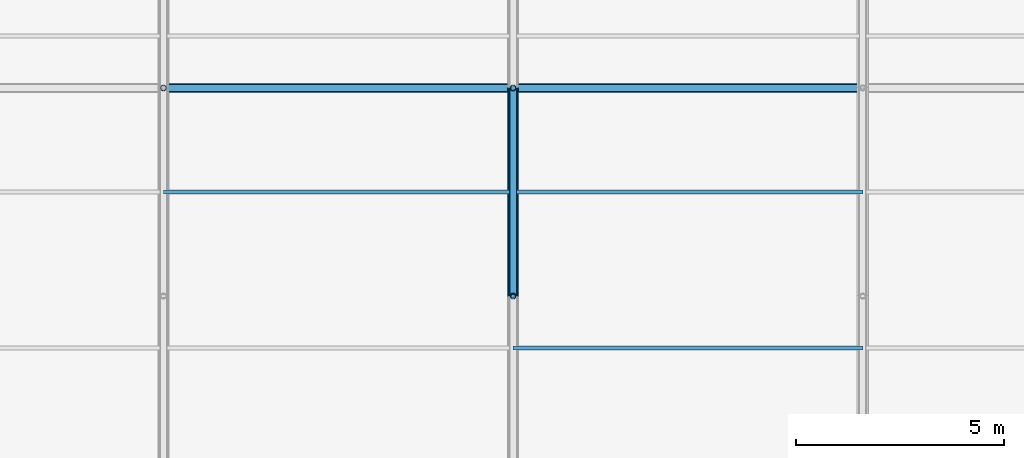
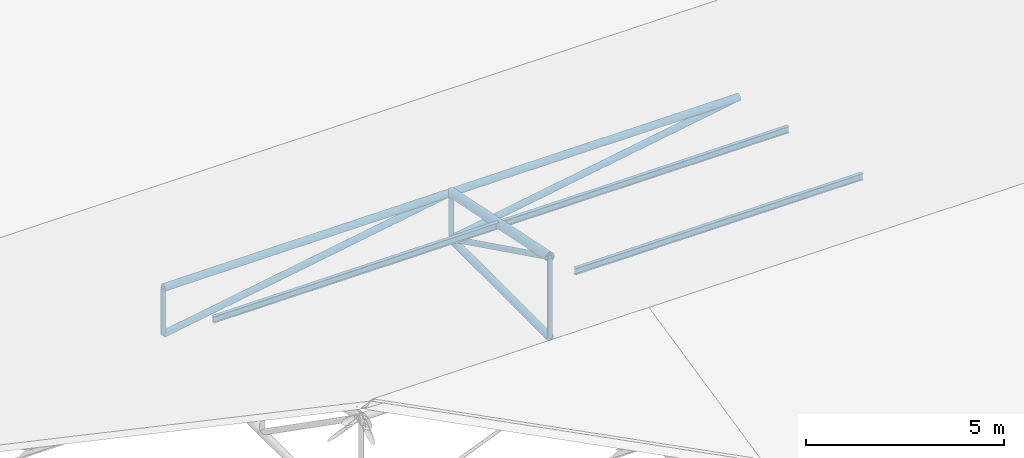
# One storey, part 38 of 194: 10 members, 3 beams.
"""IFC4 building model written with IfcOpenShell, lengths in metres."""

import ifcopenshell
import ifcopenshell.guid

model = None  # the IFC model being written
_history = None  # IfcOwnerHistory: only IFC2X3 demands one
_inside = {}  # id of a spatial element -> (the spatial element, [elements in it])
_under = {}  # id of a project, library or spatial element -> (it, [spatial elements below it])
_declared = {}  # id of a project -> (the project, [libraries it declares])
_typed = {}  # id of a type object -> (the type object, [elements of that type])
_made_of = {}  # id of a material, layer set ... -> (it, [elements and type objects made of it])


def new_model(schema):
    """Start an empty IFC model of exactly this schema.

    Asked for "IFC4X3", IfcOpenShell would pick the latest addendum, in which some entities
    have other attributes; the version numbers below select the first issue.
    IFC2X3 requires an IfcOwnerHistory on every rooted entity: one is made here for all.
    """
    global model, _history
    if schema == "IFC4X3":
        model = ifcopenshell.file(schema_version=(4, 3, 0, 0))
    else:
        model = ifcopenshell.file(schema=schema)
    _inside.clear()
    _under.clear()
    _declared.clear()
    _typed.clear()
    _made_of.clear()
    _history = None
    if model.schema == "IFC2X3":
        org = make("IfcOrganization", Name="unknown")
        user = make(
            "IfcPersonAndOrganization",
            ThePerson=make("IfcPerson", FamilyName="unknown"),
            TheOrganization=org,
        )
        app = make(
            "IfcApplication",
            ApplicationDeveloper=org,
            Version="unknown",
            ApplicationFullName="unknown",
            ApplicationIdentifier="unknown",
        )
        _history = make(
            "IfcOwnerHistory",
            OwningUser=user,
            OwningApplication=app,
            ChangeAction="ADDED",
            CreationDate=0,
        )
    return model


def make(cls, **values):
    """One entity of the class cls with the attributes given. An attribute that is None is left unset."""
    return model.create_entity(
        cls, **{name: value for name, value in values.items() if value is not None}
    )


def rooted(cls, **values):
    """An entity with a GlobalId (a new one), such as an element, a storey or a relation."""
    return make(cls, GlobalId=ifcopenshell.guid.new(), OwnerHistory=_history, **values)


def si_unit(unit_type, name, prefix=None):
    """IfcSIUnit, for example si_unit("LENGTHUNIT", "METRE", prefix="MILLI")."""
    return make("IfcSIUnit", UnitType=unit_type, Prefix=prefix, Name=name)


def assignment(units):
    """IfcUnitAssignment: the units of a project."""
    return None if units is None else make("IfcUnitAssignment", Units=units)


def point(xyz):
    """IfcCartesianPoint."""
    return None if xyz is None else make("IfcCartesianPoint", Coordinates=xyz)


def direction(xyz):
    """IfcDirection."""
    return None if xyz is None else make("IfcDirection", DirectionRatios=xyz)


def frame(location, z_axis=None, x_axis=None):
    """IfcAxis2Placement3D, a coordinate frame: its origin and axes. An axis left out is left unset."""
    return make(
        "IfcAxis2Placement3D",
        Location=point(location),
        Axis=direction(z_axis),
        RefDirection=direction(x_axis),
    )


def frame_2d(location, x_axis=None):
    """IfcAxis2Placement2D, a coordinate frame in the plane: its origin and x axis."""
    return make(
        "IfcAxis2Placement2D", Location=point(location), RefDirection=direction(x_axis)
    )


def origin():
    """The frame at (0, 0, 0) with its axes left unset."""
    return frame((0.0, 0.0, 0.0))


def origin_2d():
    """The frame at (0, 0) in the plane with its x axis left unset."""
    return frame_2d((0.0, 0.0))


def place(relative_to, where):
    """IfcLocalPlacement: puts the frame where relative to a parent placement (None: the world)."""
    return make(
        "IfcLocalPlacement", PlacementRelTo=relative_to, RelativePlacement=where
    )


def context(
    kind, dimensions, precision=None, world=None, true_north=None, identifier=None
):
    """IfcGeometricRepresentationContext, for example the 3D "Model" context."""
    return make(
        "IfcGeometricRepresentationContext",
        ContextIdentifier=identifier,
        ContextType=kind,
        CoordinateSpaceDimension=dimensions,
        Precision=precision,
        WorldCoordinateSystem=world,
        TrueNorth=true_north,
    )


def subcontext(parent, identifier, kind, view, scale=None):
    """IfcGeometricRepresentationSubContext, for example "Body" below "Model"."""
    return make(
        "IfcGeometricRepresentationSubContext",
        ContextIdentifier=identifier,
        ContextType=kind,
        ParentContext=parent,
        TargetScale=scale,
        TargetView=view,
    )


def project(units=None, contexts=None):
    """IfcProject with its units and contexts."""
    return rooted(
        "IfcProject",
        Name="project",
        RepresentationContexts=contexts,
        UnitsInContext=assignment(units),
    )


def spatial(cls, under=None, at=None, **own):
    """A site, building, storey or space (cls), placed at a placement, below another one or the project."""
    s = rooted(cls, ObjectPlacement=at, **own)
    if under is not None:
        _under.setdefault(under.id(), (under, []))[1].append(s)
    return s


def profile(cls, at=None, kind="AREA", **sizes):
    """A parametric profile (cls). Its sizes go by their IFC names, for example OverallWidth=200.0."""
    return make(cls, ProfileType=kind, Position=at, **sizes)


def hollow_circle(**sizes):
    """IfcCircleHollowProfileDef."""
    return profile("IfcCircleHollowProfileDef", **sizes)


def i_section(**sizes):
    """IfcIShapeProfileDef."""
    return profile("IfcIShapeProfileDef", **sizes)


def extrude(swept, where, along, depth):
    """IfcExtrudedAreaSolid: the profile swept, set in the frame where, extruded along a direction by depth."""
    return make(
        "IfcExtrudedAreaSolid",
        SweptArea=swept,
        Position=where,
        ExtrudedDirection=direction(along),
        Depth=depth,
    )


def shape(context_of_items, identifier, shape_type, items):
    """IfcShapeRepresentation: the items that make up one representation, for example the "Body"."""
    return make(
        "IfcShapeRepresentation",
        ContextOfItems=context_of_items,
        RepresentationIdentifier=identifier,
        RepresentationType=shape_type,
        Items=items,
    )


def material(Name=None, Category=None):
    """IfcMaterial."""
    return make("IfcMaterial", Name=Name, Category=Category)


def material_profile(
    of_material, cross_section, Name=None, Category=None, Priority=None
):
    """IfcMaterialProfile: a cross section and its material."""
    return make(
        "IfcMaterialProfile",
        Name=Name,
        Material=of_material,
        Profile=cross_section,
        Priority=Priority,
        Category=Category,
    )


def profile_set(profiles, Name=None, composite=None):
    """IfcMaterialProfileSet."""
    return make(
        "IfcMaterialProfileSet",
        Name=Name,
        MaterialProfiles=profiles,
        CompositeProfile=composite,
    )


def made_of(thing, what):
    """Note that an element or type object is made of a material, layer set ...; save() writes the relation."""
    if what is not None:
        _made_of.setdefault(what.id(), (what, []))[1].append(thing)
    return thing


def type_object(cls, material=None, **own):
    """A type object (cls), such as IfcWallType, which elements share."""
    return made_of(rooted(cls, **own), material)


def element(
    cls,
    number,
    at=None,
    inside=None,
    cuts=None,
    type_object=None,
    material=None,
    context=None,
    identifier="Body",
    shape_type=None,
    held_by="IfcProductDefinitionShape",
    body=None,
    shapes=None,
    **own,
):
    """One element of the class cls, such as IfcWall. Its Tag is "e" and its number.

    at: its placement. inside: the storey or other place that contains it. cuts: it is an
    opening in that element (IfcRelVoidsElement). A single representation is given by context,
    identifier, shape_type and body (its items); several are given by shapes. held_by: the class
    of the entity that holds the representations. save() writes the other relations.
    """
    e = rooted(cls, Tag="e%d" % number, ObjectPlacement=at, **own)
    if body is not None:
        shapes = [shape(context, identifier, shape_type, body)]
    if shapes is not None:
        e.Representation = make(held_by, Representations=shapes)
    if inside is not None:
        _inside.setdefault(inside.id(), (inside, []))[1].append(e)
    if cuts is not None:
        rooted(
            "IfcRelVoidsElement", RelatingBuildingElement=cuts, RelatedOpeningElement=e
        )
    if type_object is not None:
        _typed.setdefault(type_object.id(), (type_object, []))[1].append(e)
    return made_of(e, material)


def aggregate(whole, parts):
    """IfcRelAggregates: a whole, such as a stair, and the parts it consists of."""
    return rooted("IfcRelAggregates", RelatingObject=whole, RelatedObjects=parts)


def save(model, path):
    """Write the relations noted so far, then the file.

    IfcRelAggregates (storeys below a building ...), IfcRelContainedInSpatialStructure (elements
    in a storey), IfcRelDefinesByType, IfcRelAssociatesMaterial and IfcRelDeclares: one each for
    every whole, place, type object, material and project.
    """
    for whole, parts in _under.values():
        aggregate(whole, parts)
    for where, things in _inside.values():
        rooted(
            "IfcRelContainedInSpatialStructure",
            RelatedElements=things,
            RelatingStructure=where,
        )
    for kind, things in _typed.values():
        rooted("IfcRelDefinesByType", RelatedObjects=things, RelatingType=kind)
    for what, things in _made_of.values():
        rooted("IfcRelAssociatesMaterial", RelatedObjects=things, RelatingMaterial=what)
    for by, libraries in _declared.values():
        rooted("IfcRelDeclares", RelatingContext=by, RelatedDefinitions=libraries)
    model.write(path)


model = new_model("IFC4")

# Units and contexts
model_context = context("Model", 3, precision=1e-05, world=origin(), true_north=direction((0.0, 1.0)))
body_context = subcontext(model_context, "Body", "Model", "MODEL_VIEW")
ifc_project = project(units=[si_unit("LENGTHUNIT", "METRE"), si_unit("AREAUNIT", "SQUARE_METRE"), si_unit("VOLUMEUNIT", "CUBIC_METRE"), si_unit("PLANEANGLEUNIT", "RADIAN"), si_unit("MASSUNIT", "GRAM", prefix="KILO")], contexts=[model_context])

# Site, building, storey
site_placement = place(None, origin())
site = spatial("IfcSite", under=ifc_project, at=site_placement, CompositionType="ELEMENT")
building_placement = place(site_placement, origin())
building = spatial("IfcBuilding", under=site, at=building_placement, Name="Kazenagashi Tramway Depot", CompositionType="ELEMENT")
storey_placement = place(building_placement, frame((0.0, 0.0, 23.7)))
storey = spatial("IfcBuildingStorey", under=building, at=storey_placement, Name="ROOF", CompositionType="ELEMENT", Elevation=23.7)

# Beams
ifc_material_1 = material(Name="Steel SN400B", Category="steel")
ifc_material_profile_1 = material_profile(ifc_material_1, i_section(OverallWidth=0.1, OverallDepth=0.2, WebThickness=0.0055, FlangeThickness=0.008, at=origin_2d()), Name="H-200x100x5.5x8")
ifc_profile_set_1 = profile_set([ifc_material_profile_1], Name="Steel SN400B")
beam_type = type_object("IfcBeamType", Name="PR-01", PredefinedType="USERDEFINED", material=ifc_profile_set_1)
for number, where, z_axis, x_axis, name in (
    (1, (120.4, 88.75, -11.305), (1.0, 0.0, 0.0), (0.0, 1.0, 0.0), "Beam PR-01 BM-2081"),
    (2, (112.0, 92.5, -12.13), (1.0, 0.0, 0.0), (0.0, 1.0, 0.0), "Beam PR-01 BM-2098"),
    (3, (120.4, 92.5, -12.13), (1.0, 0.0, 0.0), (0.0, 1.0, 0.0), "Beam PR-01 BM-2099"),
):
    element("IfcBeam", number, at=place(storey_placement, frame(where, z_axis=z_axis, x_axis=x_axis)), inside=storey, type_object=beam_type, Name=name, ObjectType="PURLIN", PredefinedType="USERDEFINED", context=body_context, shape_type="SweptSolid", body=[
        extrude(i_section(OverallWidth=0.1, OverallDepth=0.2, WebThickness=0.0055, FlangeThickness=0.008, at=origin_2d()), origin(), (0.0, 0.0, 1.0), 8.4),
    ])

# Members
ifc_material_2 = material(Name="Steel STK490", Category="steel")
ifc_material_profile_2 = material_profile(ifc_material_2, hollow_circle(Radius=0.1337, WallThickness=0.0093, at=origin_2d()), Name="CHS-267.4x9.3")
ifc_profile_set_2 = profile_set([ifc_material_profile_2], Name="Steel STK490")
member_type_1 = type_object("IfcMemberType", Name="TC-01", PredefinedType="CHORD", material=ifc_profile_set_2)
member_1_placement = place(storey_placement, frame((120.4, 90.0, -11.633), z_axis=(0.0, 0.979279174591, -0.202514933305), x_axis=(-1.0, 0.0, 0.0)))
element("IfcMember", 4, at=member_1_placement, inside=storey, type_object=member_type_1, Name="Tubular Space Frame TC-01 MEM-0562", PredefinedType="CHORD", context=body_context, shape_type="SweptSolid", body=[
    extrude(hollow_circle(Radius=0.1337, WallThickness=0.0093, at=origin_2d()), origin(), (0.0, 0.0, 1.0), 5.105796),
])
ifc_material_profile_3 = material_profile(ifc_material_2, hollow_circle(Radius=0.10815, WallThickness=0.0082, at=origin_2d()), Name="CHS-216.3x8.2")
ifc_profile_set_3 = profile_set([ifc_material_profile_3], Name="Steel STK490")
member_type_2 = type_object("IfcMemberType", Name="TC-02", PredefinedType="CHORD", material=ifc_profile_set_3)
member_2_placement = place(storey_placement, frame((112.0, 95.0, -12.667), z_axis=(1.0, 0.0, 0.0), x_axis=(0.0, 1.0, 0.0)))
element("IfcMember", 5, at=member_2_placement, inside=storey, type_object=member_type_2, Name="Tubular Space Frame TC-02 MEM-0518", PredefinedType="CHORD", context=body_context, shape_type="SweptSolid", body=[
    extrude(hollow_circle(Radius=0.10815, WallThickness=0.0082, at=origin_2d()), origin(), (0.0, 0.0, 1.0), 8.4),
])
member_3_placement = place(storey_placement, frame((120.4, 90.0, -14.1), z_axis=(0.0, 1.0, 0.0), x_axis=(-1.0, 0.0, 0.0)))
element("IfcMember", 6, at=member_3_placement, inside=storey, type_object=member_type_2, Name="Tubular Space Frame TC-02 MEM-0563", PredefinedType="CHORD", context=body_context, shape_type="SweptSolid", body=[
    extrude(hollow_circle(Radius=0.10815, WallThickness=0.0082, at=origin_2d()), origin(), (0.0, 0.0, 1.0), 5.0),
])
member_4_placement = place(storey_placement, frame((120.4, 95.0, -12.667), z_axis=(1.0, 0.0, 0.0), x_axis=(0.0, 1.0, 0.0)))
element("IfcMember", 7, at=member_4_placement, inside=storey, type_object=member_type_2, Name="Tubular Space Frame TC-02 MEM-0579", PredefinedType="CHORD", context=body_context, shape_type="SweptSolid", body=[
    extrude(hollow_circle(Radius=0.10815, WallThickness=0.0082, at=origin_2d()), origin(), (0.0, 0.0, 1.0), 8.4),
])
ifc_material_profile_4 = material_profile(ifc_material_2, hollow_circle(Radius=0.0826, WallThickness=0.0071, at=origin_2d()), Name="CHS-165.2x7.1")
ifc_profile_set_4 = profile_set([ifc_material_profile_4], Name="Steel STK490")
member_type_3 = type_object("IfcMemberType", Name="TS-01", PredefinedType="STRUT", material=ifc_profile_set_4)
member_5_placement = place(storey_placement, frame((120.4, 90.0, -11.633), z_axis=(0.0, 0.896782162482, -0.442472318969), x_axis=(-1.0, 0.0, 0.0)))
element("IfcMember", 8, at=member_5_placement, inside=storey, type_object=member_type_3, Name="Tubular Space Frame TS-01 MEM-0564", PredefinedType="STRUT", context=body_context, shape_type="SweptSolid", body=[
    extrude(hollow_circle(Radius=0.0826, WallThickness=0.0071, at=origin_2d()), origin(), (0.0, 0.0, 1.0), 5.57549),
])
ifc_material_profile_5 = material_profile(ifc_material_2, hollow_circle(Radius=0.0699, WallThickness=0.0066, at=origin_2d()), Name="CHS-139.8x6.6")
ifc_profile_set_5 = profile_set([ifc_material_profile_5], Name="Steel STK490")
member_type_4 = type_object("IfcMemberType", Name="TS-02", PredefinedType="STRUT", material=ifc_profile_set_5)
member_6_placement = place(storey_placement, frame((112.0, 95.0, -14.1), z_axis=(0.0, 0.0, 1.0), x_axis=(1.0, 0.0, 0.0)))
element("IfcMember", 9, at=member_6_placement, inside=storey, type_object=member_type_4, Name="Tubular Space Frame TS-02 MEM-0512", PredefinedType="STRUT", context=body_context, shape_type="SweptSolid", body=[
    extrude(hollow_circle(Radius=0.0699, WallThickness=0.0066, at=origin_2d()), origin(), (0.0, 0.0, 1.0), 1.433),
])
member_7_placement = place(storey_placement, frame((120.4, 90.0, -14.1), z_axis=(0.0, 0.0, 1.0), x_axis=(1.0, 0.0, 0.0)))
element("IfcMember", 10, at=member_7_placement, inside=storey, type_object=member_type_4, Name="Tubular Space Frame TS-02 MEM-0572", PredefinedType="STRUT", context=body_context, shape_type="SweptSolid", body=[
    extrude(hollow_circle(Radius=0.0699, WallThickness=0.0066, at=origin_2d()), origin(), (0.0, 0.0, 1.0), 2.467),
])
member_8_placement = place(storey_placement, frame((120.4, 95.0, -14.1), z_axis=(0.0, 0.0, 1.0), x_axis=(1.0, 0.0, 0.0)))
element("IfcMember", 11, at=member_8_placement, inside=storey, type_object=member_type_4, Name="Tubular Space Frame TS-02 MEM-0573", PredefinedType="STRUT", context=body_context, shape_type="SweptSolid", body=[
    extrude(hollow_circle(Radius=0.0699, WallThickness=0.0066, at=origin_2d()), origin(), (0.0, 0.0, 1.0), 1.433),
])
ifc_material_profile_6 = material_profile(ifc_material_2, hollow_circle(Radius=0.09535, WallThickness=0.007, at=origin_2d()), Name="CHS-190.7x7.0")
ifc_profile_set_6 = profile_set([ifc_material_profile_6], Name="Steel STK490")
member_type_5 = type_object("IfcMemberType", Name="TS-05", PredefinedType="STRUT", material=ifc_profile_set_6)
for number, where, z_axis, x_axis, name in (
    (12, (112.0, 95.0, -14.1), (0.985758734117, 0.0, 0.168165745951), (0.0, 1.0, 0.0), "Tubular Space Frame TS-05 MEM-0519"),
    (13, (120.4, 95.0, -14.1), (0.985758734117, 0.0, 0.168165745951), (0.0, 1.0, 0.0), "Tubular Space Frame TS-05 MEM-0580"),
):
    element("IfcMember", number, at=place(storey_placement, frame(where, z_axis=z_axis, x_axis=x_axis)), inside=storey, type_object=member_type_5, Name=name, PredefinedType="STRUT", context=body_context, shape_type="SweptSolid", body=[
        extrude(hollow_circle(Radius=0.09535, WallThickness=0.007, at=origin_2d()), origin(), (0.0, 0.0, 1.0), 8.521355),
    ])

save(model, "model.ifc")
